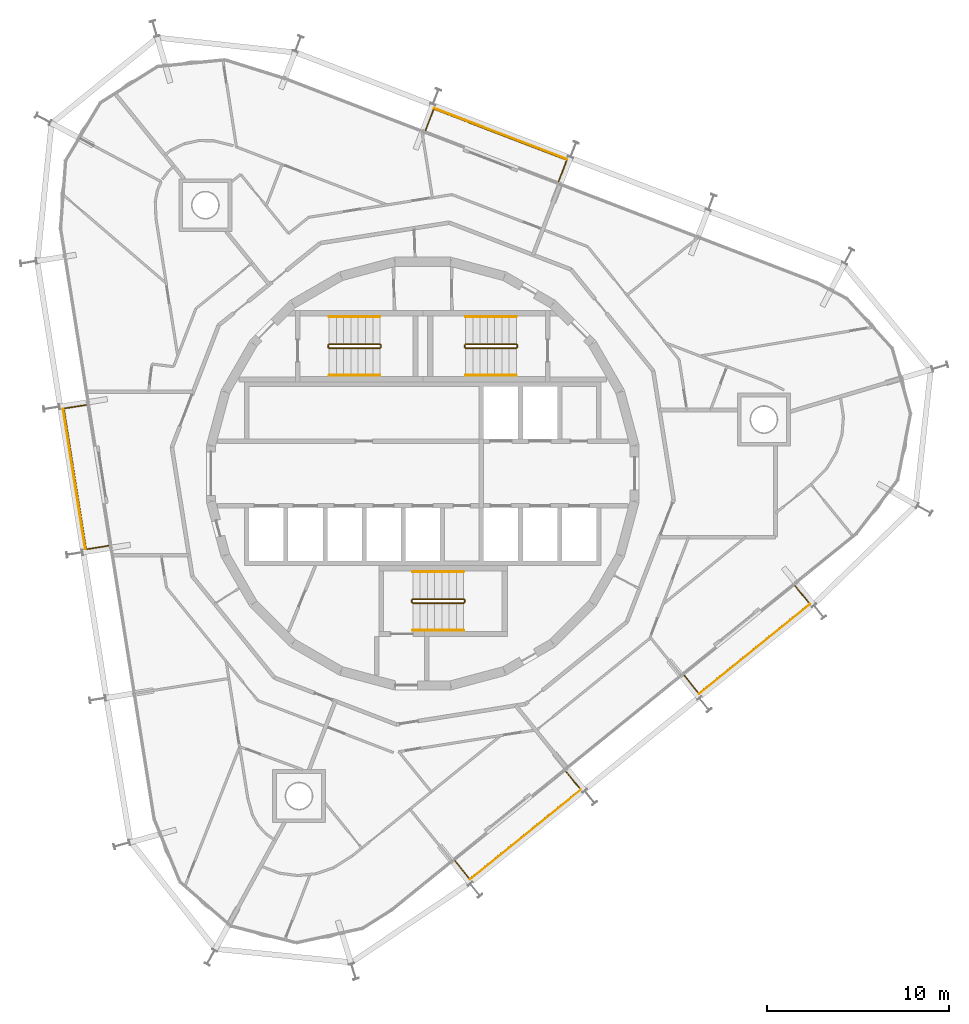
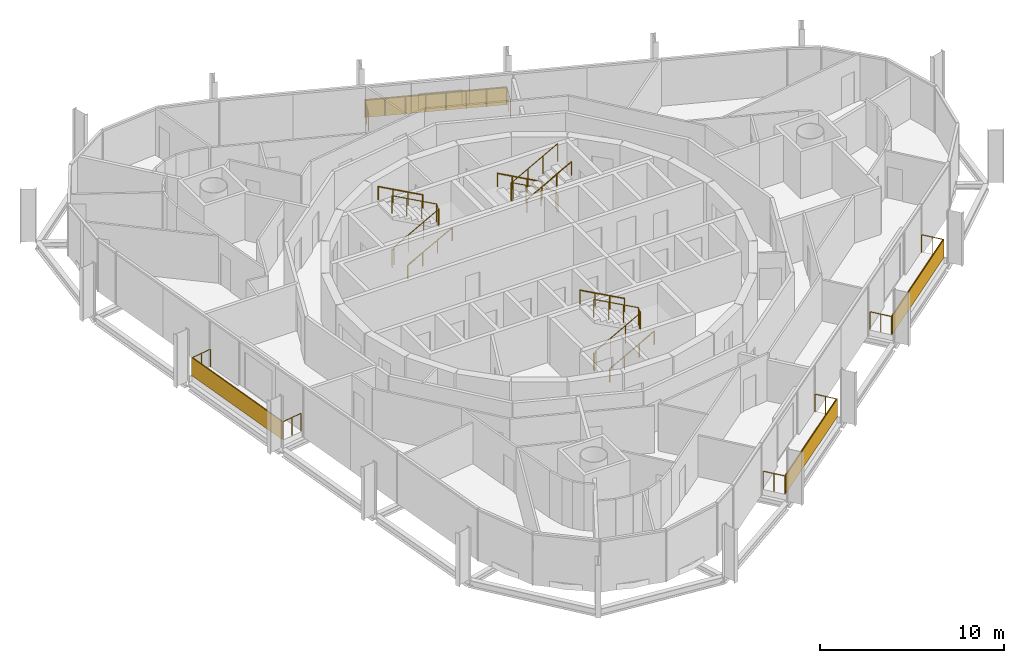
# One storey, part 17 of 17: 13 railings, 4 shading devices.
"""IFC4 building model written with IfcOpenShell, lengths in metres."""

from ifc_helpers import new_model, si_unit, direction, frame, origin, origin_2d, place, context, subcontext, project, spatial, rectangle, circle, extrude, material, layer, layer_set, type_object, element, save


model = new_model("IFC4")

# Units and contexts
model_context = context("Model", 3, precision=1e-05, world=origin(), true_north=direction((0.0, 1.0)))
body_context = subcontext(model_context, "Body", "Model", "MODEL_VIEW")
ifc_project = project(units=[si_unit("LENGTHUNIT", "METRE"), si_unit("AREAUNIT", "SQUARE_METRE"), si_unit("VOLUMEUNIT", "CUBIC_METRE"), si_unit("PLANEANGLEUNIT", "RADIAN"), si_unit("MASSUNIT", "GRAM", prefix="KILO")], contexts=[model_context])

# Site, building, storey
site_placement = place(None, origin())
site = spatial("IfcSite", under=ifc_project, at=site_placement, CompositionType="ELEMENT")
building_placement = place(site_placement, origin())
building = spatial("IfcBuilding", under=site, at=building_placement, Name="Spindle Arch Residences", CompositionType="ELEMENT")
storey_placement = place(building_placement, frame((0.0, 0.0, 270.39990234375)))
storey = spatial("IfcBuildingStorey", under=building, at=storey_placement, Name="L69", CompositionType="ELEMENT", Elevation=270.39990234375)

# Railings
ifc_material_1 = material(Name="Bronze anodised aluminium guard with glass infill", Category="aluminium")
railing_type_1 = type_object("IfcRailingType", Name="Balcony guard 1200", PredefinedType="GUARDRAIL", material=ifc_material_1)
railing_1_placement = place(storey_placement, frame((14.3857421875, -11.10888671875, 0.0)))
element("IfcRailing", 1, at=railing_1_placement, inside=storey, type_object=railing_type_1, Name="Guard L69 bay 1", PredefinedType="GUARDRAIL", context=body_context, shape_type="SweptSolid", body=[
    extrude(circle(Radius=0.02392578125, at=origin_2d()), frame((0.0, 0.0, 1.17578125), z_axis=(0.629422920791, -0.77706292331, 0.0), x_axis=(0.77706292331, 0.629422920791, 0.0)), (0.0, 0.0, 1.0), 1.250244140625),
    extrude(circle(Radius=0.02392578125, at=origin_2d()), frame((0.786865234375, -0.971435546875, 1.17578125), z_axis=(0.777138223033, 0.629329947087, 0.0), x_axis=(-0.629329947087, 0.777138223033, 0.0)), (0.0, 0.0, 1.0), 7.83740234375),
    extrude(circle(Radius=0.02392578125, at=origin_2d()), frame((6.877685546875, 3.9609375, 1.17578125), z_axis=(-0.629304977104, 0.777158443171, 0.0), x_axis=(-0.777158443171, -0.629304977104, 0.0)), (0.0, 0.0, 1.0), 1.25),
    extrude(circle(Radius=0.02099609375, at=origin_2d()), origin(), (0.0, 0.0, 1.0), 1.15185546875),
    extrude(circle(Radius=0.02099609375, at=origin_2d()), frame((0.3935546875, -0.48583984375, 0.0)), (0.0, 0.0, 1.0), 1.15185546875),
    extrude(circle(Radius=0.02099609375, at=origin_2d()), frame((0.786865234375, -0.971435546875, 0.0)), (0.0, 0.0, 1.0), 1.15185546875),
    extrude(circle(Radius=0.02099609375, at=origin_2d()), frame((1.656982421875, -0.266845703125, 0.0)), (0.0, 0.0, 1.0), 1.15185546875),
    extrude(circle(Radius=0.02099609375, at=origin_2d()), frame((2.527099609375, 0.437744140625, 0.0)), (0.0, 0.0, 1.0), 1.15185546875),
    extrude(circle(Radius=0.02099609375, at=origin_2d()), frame((3.397216796875, 1.142333984375, 0.0)), (0.0, 0.0, 1.0), 1.15185546875),
    extrude(circle(Radius=0.02099609375, at=origin_2d()), frame((4.267333984375, 1.84716796875, 0.0)), (0.0, 0.0, 1.0), 1.15185546875),
    extrude(circle(Radius=0.02099609375, at=origin_2d()), frame((5.137451171875, 2.5517578125, 0.0)), (0.0, 0.0, 1.0), 1.15185546875),
    extrude(circle(Radius=0.02099609375, at=origin_2d()), frame((6.007568359375, 3.25634765625, 0.0)), (0.0, 0.0, 1.0), 1.15185546875),
    extrude(circle(Radius=0.02099609375, at=origin_2d()), frame((6.877685546875, 3.9609375, 0.0)), (0.0, 0.0, 1.0), 1.15185546875),
    extrude(circle(Radius=0.02099609375, at=origin_2d()), frame((6.484375, 4.44677734375, 0.0)), (0.0, 0.0, 1.0), 1.15185546875),
    extrude(circle(Radius=0.02099609375, at=origin_2d()), frame((6.091064453125, 4.932373046875, 0.0)), (0.0, 0.0, 1.0), 1.15185546875),
])
railing_2_placement = place(storey_placement, frame((7.473876953125, 16.075927734375, 0.0)))
element("IfcRailing", 2, at=railing_2_placement, inside=storey, type_object=railing_type_1, Name="Guard L69 bay 7", PredefinedType="GUARDRAIL", context=body_context, shape_type="SweptSolid", body=[
    extrude(circle(Radius=0.02392578125, at=origin_2d()), frame((0.0, 0.0, 1.17578125), z_axis=(0.358219824021, 0.933637273077, 0.0), x_axis=(-0.933637273077, 0.358219824021, 0.0)), (0.0, 0.0, 1.0), 1.25),
    extrude(circle(Radius=0.02392578125, at=origin_2d()), frame((0.44775390625, 1.1669921875, 1.17578125), z_axis=(-0.933574226738, 0.358384100054, 0.0), x_axis=(-0.358384100054, -0.933574226738, 0.0)), (0.0, 0.0, 1.0), 7.83740234375),
    extrude(circle(Radius=0.02392578125, at=origin_2d()), frame((-6.869140625, 3.975830078125, 1.17578125), z_axis=(-0.358390063807, -0.933571937327, 0.0), x_axis=(0.933571937327, -0.358390063807, 0.0)), (0.0, 0.0, 1.0), 1.25),
    extrude(circle(Radius=0.02099609375, at=origin_2d()), origin(), (0.0, 0.0, 1.0), 1.15185546875),
    extrude(circle(Radius=0.02099609375, at=origin_2d()), frame((0.223876953125, 0.58349609375, 0.0)), (0.0, 0.0, 1.0), 1.15185546875),
    extrude(circle(Radius=0.02099609375, at=origin_2d()), frame((0.44775390625, 1.1669921875, 0.0)), (0.0, 0.0, 1.0), 1.15185546875),
    extrude(circle(Radius=0.02099609375, at=origin_2d()), frame((-0.597412109375, 1.568359375, 0.0)), (0.0, 0.0, 1.0), 1.15185546875),
    extrude(circle(Radius=0.02099609375, at=origin_2d()), frame((-1.642822265625, 1.969482421875, 0.0)), (0.0, 0.0, 1.0), 1.15185546875),
    extrude(circle(Radius=0.02099609375, at=origin_2d()), frame((-2.68798828125, 2.370849609375, 0.0)), (0.0, 0.0, 1.0), 1.15185546875),
    extrude(circle(Radius=0.02099609375, at=origin_2d()), frame((-3.7333984375, 2.77197265625, 0.0)), (0.0, 0.0, 1.0), 1.15185546875),
    extrude(circle(Radius=0.02099609375, at=origin_2d()), frame((-4.778564453125, 3.17333984375, 0.0)), (0.0, 0.0, 1.0), 1.15185546875),
    extrude(circle(Radius=0.02099609375, at=origin_2d()), frame((-5.823974609375, 3.574462890625, 0.0)), (0.0, 0.0, 1.0), 1.15185546875),
    extrude(circle(Radius=0.02099609375, at=origin_2d()), frame((-6.869140625, 3.975830078125, 0.0)), (0.0, 0.0, 1.0), 1.15185546875),
    extrude(circle(Radius=0.02099609375, at=origin_2d()), frame((-7.09326171875, 3.392333984375, 0.0)), (0.0, 0.0, 1.0), 1.15185546875),
    extrude(circle(Radius=0.02099609375, at=origin_2d()), frame((-7.317138671875, 2.808837890625, 0.0)), (0.0, 0.0, 1.0), 1.15185546875),
])
railing_3_placement = place(storey_placement, frame((-18.504638671875, 3.77294921875, 0.0)))
element("IfcRailing", 3, at=railing_3_placement, inside=storey, type_object=railing_type_1, Name="Guard L69 bay 13", PredefinedType="GUARDRAIL", context=body_context, shape_type="SweptSolid", body=[
    extrude(circle(Radius=0.02392578125, at=origin_2d()), frame((0.0, 0.0, 1.17578125), z_axis=(-0.987686835152, -0.156443969736, 0.0), x_axis=(0.156443969736, -0.987686835152, 0.0)), (0.0, 0.0, 1.0), 1.25),
    extrude(circle(Radius=0.02392578125, at=origin_2d()), frame((-1.234619140625, -0.195556640625, 1.17578125), z_axis=(0.156437642141, -0.987687837387, 0.0), x_axis=(0.987687837387, 0.156437642141, 0.0)), (0.0, 0.0, 1.0), 7.83740234375),
    extrude(circle(Radius=0.02392578125, at=origin_2d()), frame((-0.008544921875, -7.9365234375, 1.17578125), z_axis=(0.987686835152, 0.156443969736, 0.0), x_axis=(-0.156443969736, 0.987686835152, 0.0)), (0.0, 0.0, 1.0), 1.25),
    extrude(circle(Radius=0.02099609375, at=origin_2d()), origin(), (0.0, 0.0, 1.0), 1.15185546875),
    extrude(circle(Radius=0.02099609375, at=origin_2d()), frame((-0.6171875, -0.09765625, 0.0)), (0.0, 0.0, 1.0), 1.15185546875),
    extrude(circle(Radius=0.02099609375, at=origin_2d()), frame((-1.234619140625, -0.195556640625, 0.0)), (0.0, 0.0, 1.0), 1.15185546875),
    extrude(circle(Radius=0.02099609375, at=origin_2d()), frame((-1.0595703125, -1.301513671875, 0.0)), (0.0, 0.0, 1.0), 1.15185546875),
    extrude(circle(Radius=0.02099609375, at=origin_2d()), frame((-0.88427734375, -2.4072265625, 0.0)), (0.0, 0.0, 1.0), 1.15185546875),
    extrude(circle(Radius=0.02099609375, at=origin_2d()), frame((-0.709228515625, -3.51318359375, 0.0)), (0.0, 0.0, 1.0), 1.15185546875),
    extrude(circle(Radius=0.02099609375, at=origin_2d()), frame((-0.533935546875, -4.618896484375, 0.0)), (0.0, 0.0, 1.0), 1.15185546875),
    extrude(circle(Radius=0.02099609375, at=origin_2d()), frame((-0.35888671875, -5.724853515625, 0.0)), (0.0, 0.0, 1.0), 1.15185546875),
    extrude(circle(Radius=0.02099609375, at=origin_2d()), frame((-0.18359375, -6.83056640625, 0.0)), (0.0, 0.0, 1.0), 1.15185546875),
    extrude(circle(Radius=0.02099609375, at=origin_2d()), frame((-0.008544921875, -7.9365234375, 0.0)), (0.0, 0.0, 1.0), 1.15185546875),
    extrude(circle(Radius=0.02099609375, at=origin_2d()), frame((0.60888671875, -7.8388671875, 0.0)), (0.0, 0.0, 1.0), 1.15185546875),
    extrude(circle(Radius=0.02099609375, at=origin_2d()), frame((1.22607421875, -7.740966796875, 0.0)), (0.0, 0.0, 1.0), 1.15185546875),
])
railing_4_placement = place(storey_placement, frame((1.7841796875, -21.3134765625, 0.0)))
element("IfcRailing", 4, at=railing_4_placement, inside=storey, type_object=railing_type_1, Name="Guard L69 bay 19", PredefinedType="GUARDRAIL", context=body_context, shape_type="SweptSolid", body=[
    extrude(circle(Radius=0.02392578125, at=origin_2d()), frame((0.0, 0.0, 1.17578125), z_axis=(0.629422920791, -0.77706292331, 0.0), x_axis=(0.77706292331, 0.629422920791, 0.0)), (0.0, 0.0, 1.0), 1.250244140625),
    extrude(circle(Radius=0.02392578125, at=origin_2d()), frame((0.786865234375, -0.971435546875, 1.17578125), z_axis=(0.777138223033, 0.629329947087, 0.0), x_axis=(-0.629329947087, 0.777138223033, 0.0)), (0.0, 0.0, 1.0), 7.83740234375),
    extrude(circle(Radius=0.02392578125, at=origin_2d()), frame((6.877685546875, 3.9609375, 1.17578125), z_axis=(-0.629304977104, 0.777158443171, 0.0), x_axis=(-0.777158443171, -0.629304977104, 0.0)), (0.0, 0.0, 1.0), 1.25),
    extrude(circle(Radius=0.02099609375, at=origin_2d()), origin(), (0.0, 0.0, 1.0), 1.15185546875),
    extrude(circle(Radius=0.02099609375, at=origin_2d()), frame((0.3935546875, -0.48583984375, 0.0)), (0.0, 0.0, 1.0), 1.15185546875),
    extrude(circle(Radius=0.02099609375, at=origin_2d()), frame((0.786865234375, -0.971435546875, 0.0)), (0.0, 0.0, 1.0), 1.15185546875),
    extrude(circle(Radius=0.02099609375, at=origin_2d()), frame((1.656982421875, -0.266845703125, 0.0)), (0.0, 0.0, 1.0), 1.15185546875),
    extrude(circle(Radius=0.02099609375, at=origin_2d()), frame((2.527099609375, 0.437744140625, 0.0)), (0.0, 0.0, 1.0), 1.15185546875),
    extrude(circle(Radius=0.02099609375, at=origin_2d()), frame((3.397216796875, 1.142333984375, 0.0)), (0.0, 0.0, 1.0), 1.15185546875),
    extrude(circle(Radius=0.02099609375, at=origin_2d()), frame((4.267333984375, 1.84716796875, 0.0)), (0.0, 0.0, 1.0), 1.15185546875),
    extrude(circle(Radius=0.02099609375, at=origin_2d()), frame((5.137451171875, 2.5517578125, 0.0)), (0.0, 0.0, 1.0), 1.15185546875),
    extrude(circle(Radius=0.02099609375, at=origin_2d()), frame((6.007568359375, 3.25634765625, 0.0)), (0.0, 0.0, 1.0), 1.15185546875),
    extrude(circle(Radius=0.02099609375, at=origin_2d()), frame((6.877685546875, 3.9609375, 0.0)), (0.0, 0.0, 1.0), 1.15185546875),
    extrude(circle(Radius=0.02099609375, at=origin_2d()), frame((6.484375, 4.44677734375, 0.0)), (0.0, 0.0, 1.0), 1.15185546875),
    extrude(circle(Radius=0.02099609375, at=origin_2d()), frame((6.091064453125, 4.932373046875, 0.0)), (0.0, 0.0, 1.0), 1.15185546875),
])

# Shading devices
ifc_material_2 = material(Name="Bronze perforated cobogo screen")
ifc_layer = layer(ifc_material_2, 0.0390625)
ifc_layer_set = layer_set([ifc_layer], Name="Cobogo screen 1200")
shading_device_type = type_object("IfcShadingDeviceType", Name="Cobogo screen 1200", PredefinedType="USERDEFINED", material=ifc_layer_set)
for number, where, z_axis, x_axis, name in (
    (5, (18.243408203125, -9.645751953125, 0.0), (0.0, 0.0, 1.0), (0.777145961457, 0.62932039105, 0.0), "Cobogo screen L69 bay 1"),
    (6, (4.27783203125, 18.68505859375, 0.0), (0.0, 0.0, 1.0), (-0.933580426497, 0.358367949545, 0.0), "Cobogo screen L69 bay 7"),
    (7, (-19.166259765625, -0.29931640625, 0.0), (0.0, 0.0, 1.0), (0.15643446504, -0.987688340595, 0.0), "Cobogo screen L69 bay 13"),
    (8, (5.641845703125, -19.850341796875, 0.0), (0.0, 0.0, 1.0), (0.777145961457, 0.62932039105, 0.0), "Cobogo screen L69 bay 19"),
):
    element("IfcShadingDevice", number, at=place(storey_placement, frame(where, z_axis=z_axis, x_axis=x_axis)), inside=storey, type_object=shading_device_type, Name=name, ObjectType="SCREEN", PredefinedType="USERDEFINED", context=body_context, shape_type="SweptSolid", body=[
        extrude(rectangle(XDim=7.837646484375, YDim=0.0390625, at=origin_2d()), origin(), (0.0, 0.0, 1.0), 1.199951171875),
    ])

# Railings
ifc_material_3 = material(Name="Steel, painted", Category="steel")
railing_type_2 = type_object("IfcRailingType", Name="Stair guard 1100", PredefinedType="GUARDRAIL", material=ifc_material_3)
railing_5_placement = place(storey_placement, frame((5.14990234375, 6.89990234375, 3.5)))
element("IfcRailing", 9, at=railing_5_placement, inside=storey, type_object=railing_type_2, Name="L69 ST1 stair guard 1", PredefinedType="GUARDRAIL", context=body_context, shape_type="SweptSolid", body=[
    extrude(circle(Radius=0.02392578125, at=origin_2d()), frame((0.0, 0.0, 1.17578125), z_axis=(-0.877357048833, 0.0, -0.479838106931), x_axis=(0.0, -1.0, 0.0)), (0.0, 0.0, 1.0), 3.191162109375),
    extrude(circle(Radius=0.02392578125, at=origin_2d()), frame((-2.7998046875, 0.0, -0.35546875), z_axis=(-0.217683172539, 0.217683172539, -0.951434744366), x_axis=(-0.707106781187, -0.707106781187, 0.0)), (0.0, 0.0, 1.0), 0.22998046875),
    extrude(circle(Radius=0.02392578125, at=origin_2d()), frame((-2.849853515625, 0.050048828125, -0.57421875), z_axis=(0.0, 1.0, 0.0), x_axis=(-1.0, 0.0, 0.0)), (0.0, 0.0, 1.0), 0.1201171875),
    extrude(circle(Radius=0.02392578125, at=origin_2d()), frame((-2.849853515625, 0.170166015625, -0.57421875), z_axis=(0.707106781187, 0.707106781187, 0.0), x_axis=(-0.707106781187, 0.707106781187, 0.0)), (0.0, 0.0, 1.0), 0.07080078125),
    extrude(circle(Radius=0.02392578125, at=origin_2d()), frame((-2.7998046875, 0.22021484375, -0.57421875), z_axis=(0.877357048833, 0.0, -0.479838106931), x_axis=(0.0, 1.0, 0.0)), (0.0, 0.0, 1.0), 3.191162109375),
    extrude(circle(Radius=0.02392578125, at=origin_2d()), frame((0.0, 0.22021484375, -2.10546875), z_axis=(0.217683172539, -0.217683172539, -0.951434744366), x_axis=(0.707106781187, 0.707106781187, 0.0)), (0.0, 0.0, 1.0), 0.22998046875),
    extrude(circle(Radius=0.02392578125, at=origin_2d()), frame((0.050048828125, 0.170166015625, -2.32421875), z_axis=(0.0, -1.0, 0.0), x_axis=(1.0, 0.0, 0.0)), (0.0, 0.0, 1.0), 0.1201171875),
    extrude(circle(Radius=0.02099609375, at=origin_2d()), origin(), (0.0, 0.0, 1.0), 1.15185546875),
    extrude(circle(Radius=0.02099609375, at=origin_2d()), frame((-0.933349609375, 0.0, -0.510498046875)), (0.0, 0.0, 1.0), 1.15185546875),
    extrude(circle(Radius=0.02099609375, at=origin_2d()), frame((-1.866455078125, 0.0, -1.020751953125)), (0.0, 0.0, 1.0), 1.15185546875),
    extrude(circle(Radius=0.02099609375, at=origin_2d()), frame((-2.7998046875, 0.0, -1.53125)), (0.0, 0.0, 1.0), 1.15185546875),
    extrude(circle(Radius=0.02099609375, at=origin_2d()), frame((-2.849853515625, 0.050048828125, -1.75)), (0.0, 0.0, 1.0), 1.15185546875),
    extrude(circle(Radius=0.02099609375, at=origin_2d()), frame((-2.849853515625, 0.170166015625, -1.75)), (0.0, 0.0, 1.0), 1.15185546875),
    extrude(circle(Radius=0.02099609375, at=origin_2d()), frame((-2.7998046875, 0.22021484375, -1.75)), (0.0, 0.0, 1.0), 1.15185546875),
    extrude(circle(Radius=0.02099609375, at=origin_2d()), frame((-1.866455078125, 0.22021484375, -2.260498046875)), (0.0, 0.0, 1.0), 1.15185546875),
    extrude(circle(Radius=0.02099609375, at=origin_2d()), frame((-0.933349609375, 0.22021484375, -2.770751953125)), (0.0, 0.0, 1.0), 1.15185546875),
    extrude(circle(Radius=0.02099609375, at=origin_2d()), frame((0.0, 0.22021484375, -3.28125)), (0.0, 0.0, 1.0), 1.15185546875),
    extrude(circle(Radius=0.02099609375, at=origin_2d()), frame((0.050048828125, 0.170166015625, -3.5)), (0.0, 0.0, 1.0), 1.15185546875),
    extrude(circle(Radius=0.02099609375, at=origin_2d()), frame((0.050048828125, 0.050048828125, -3.5)), (0.0, 0.0, 1.0), 1.15185546875),
])
railing_6_placement = place(storey_placement, frame((-5.14990234375, 7.1201171875, 3.5)))
element("IfcRailing", 10, at=railing_6_placement, inside=storey, type_object=railing_type_2, Name="L69 ST2 stair guard 1", PredefinedType="GUARDRAIL", context=body_context, shape_type="SweptSolid", body=[
    extrude(circle(Radius=0.02392578125, at=origin_2d()), frame((0.0, 0.0, 1.17578125), z_axis=(0.877357048833, 0.0, -0.479838106931), x_axis=(0.0, 1.0, 0.0)), (0.0, 0.0, 1.0), 3.191162109375),
    extrude(circle(Radius=0.02392578125, at=origin_2d()), frame((2.7998046875, 0.0, -0.35546875), z_axis=(0.217683172539, -0.217683172539, -0.951434744366), x_axis=(0.707106781187, 0.707106781187, 0.0)), (0.0, 0.0, 1.0), 0.22998046875),
    extrude(circle(Radius=0.02392578125, at=origin_2d()), frame((2.849853515625, -0.050048828125, -0.57421875), z_axis=(0.0, -1.0, 0.0), x_axis=(1.0, 0.0, 0.0)), (0.0, 0.0, 1.0), 0.1201171875),
    extrude(circle(Radius=0.02392578125, at=origin_2d()), frame((2.849853515625, -0.170166015625, -0.57421875), z_axis=(-0.707106781187, -0.707106781187, 0.0), x_axis=(0.707106781187, -0.707106781187, 0.0)), (0.0, 0.0, 1.0), 0.07080078125),
    extrude(circle(Radius=0.02392578125, at=origin_2d()), frame((2.7998046875, -0.22021484375, -0.57421875), z_axis=(-0.877357048833, 0.0, -0.479838106931), x_axis=(0.0, -1.0, 0.0)), (0.0, 0.0, 1.0), 3.191162109375),
    extrude(circle(Radius=0.02392578125, at=origin_2d()), frame((0.0, -0.22021484375, -2.10546875), z_axis=(-0.217683172539, 0.217683172539, -0.951434744366), x_axis=(-0.707106781187, -0.707106781187, 0.0)), (0.0, 0.0, 1.0), 0.22998046875),
    extrude(circle(Radius=0.02392578125, at=origin_2d()), frame((-0.050048828125, -0.170166015625, -2.32421875), z_axis=(0.0, 1.0, 0.0), x_axis=(-1.0, 0.0, 0.0)), (0.0, 0.0, 1.0), 0.1201171875),
    extrude(circle(Radius=0.02099609375, at=origin_2d()), origin(), (0.0, 0.0, 1.0), 1.15185546875),
    extrude(circle(Radius=0.02099609375, at=origin_2d()), frame((0.933349609375, 0.0, -0.510498046875)), (0.0, 0.0, 1.0), 1.15185546875),
    extrude(circle(Radius=0.02099609375, at=origin_2d()), frame((1.866455078125, 0.0, -1.020751953125)), (0.0, 0.0, 1.0), 1.15185546875),
    extrude(circle(Radius=0.02099609375, at=origin_2d()), frame((2.7998046875, 0.0, -1.53125)), (0.0, 0.0, 1.0), 1.15185546875),
    extrude(circle(Radius=0.02099609375, at=origin_2d()), frame((2.849853515625, -0.050048828125, -1.75)), (0.0, 0.0, 1.0), 1.15185546875),
    extrude(circle(Radius=0.02099609375, at=origin_2d()), frame((2.849853515625, -0.170166015625, -1.75)), (0.0, 0.0, 1.0), 1.15185546875),
    extrude(circle(Radius=0.02099609375, at=origin_2d()), frame((2.7998046875, -0.22021484375, -1.75)), (0.0, 0.0, 1.0), 1.15185546875),
    extrude(circle(Radius=0.02099609375, at=origin_2d()), frame((1.866455078125, -0.22021484375, -2.260498046875)), (0.0, 0.0, 1.0), 1.15185546875),
    extrude(circle(Radius=0.02099609375, at=origin_2d()), frame((0.933349609375, -0.22021484375, -2.770751953125)), (0.0, 0.0, 1.0), 1.15185546875),
    extrude(circle(Radius=0.02099609375, at=origin_2d()), frame((0.0, -0.22021484375, -3.28125)), (0.0, 0.0, 1.0), 1.15185546875),
    extrude(circle(Radius=0.02099609375, at=origin_2d()), frame((-0.050048828125, -0.170166015625, -3.5)), (0.0, 0.0, 1.0), 1.15185546875),
    extrude(circle(Radius=0.02099609375, at=origin_2d()), frame((-0.050048828125, -0.050048828125, -3.5)), (0.0, 0.0, 1.0), 1.15185546875),
])
railing_7_placement = place(storey_placement, frame((-0.550048828125, -6.89990234375, 3.5)))
element("IfcRailing", 11, at=railing_7_placement, inside=storey, type_object=railing_type_2, Name="L69 ST3 stair guard 1", PredefinedType="GUARDRAIL", context=body_context, shape_type="SweptSolid", body=[
    extrude(circle(Radius=0.02392578125, at=origin_2d()), frame((0.0, 0.0, 1.17578125), z_axis=(0.877374661878, 0.0, -0.479805901063), x_axis=(0.0, 1.0, 0.0)), (0.0, 0.0, 1.0), 3.19140625),
    extrude(circle(Radius=0.02392578125, at=origin_2d()), frame((2.800048828125, 0.0, -0.35546875), z_axis=(0.217683172539, -0.217683172539, -0.951434744366), x_axis=(0.707106781187, 0.707106781187, 0.0)), (0.0, 0.0, 1.0), 0.22998046875),
    extrude(circle(Radius=0.02392578125, at=origin_2d()), frame((2.85009765625, -0.050048828125, -0.57421875), z_axis=(0.0, -1.0, 0.0), x_axis=(1.0, 0.0, 0.0)), (0.0, 0.0, 1.0), 0.1201171875),
    extrude(circle(Radius=0.02392578125, at=origin_2d()), frame((2.85009765625, -0.170166015625, -0.57421875), z_axis=(-0.707106781187, -0.707106781187, 0.0), x_axis=(0.707106781187, -0.707106781187, 0.0)), (0.0, 0.0, 1.0), 0.07080078125),
    extrude(circle(Radius=0.02392578125, at=origin_2d()), frame((2.800048828125, -0.22021484375, -0.57421875), z_axis=(-0.877374661878, 0.0, -0.479805901063), x_axis=(0.0, -1.0, 0.0)), (0.0, 0.0, 1.0), 3.19140625),
    extrude(circle(Radius=0.02392578125, at=origin_2d()), frame((0.0, -0.22021484375, -2.10546875), z_axis=(-0.217683172539, 0.217683172539, -0.951434744366), x_axis=(-0.707106781187, -0.707106781187, 0.0)), (0.0, 0.0, 1.0), 0.22998046875),
    extrude(circle(Radius=0.02392578125, at=origin_2d()), frame((-0.050048828125, -0.170166015625, -2.32421875), z_axis=(0.0, 1.0, 0.0), x_axis=(-1.0, 0.0, 0.0)), (0.0, 0.0, 1.0), 0.1201171875),
    extrude(circle(Radius=0.02099609375, at=origin_2d()), origin(), (0.0, 0.0, 1.0), 1.15185546875),
    extrude(circle(Radius=0.02099609375, at=origin_2d()), frame((0.933349609375, 0.0, -0.510498046875)), (0.0, 0.0, 1.0), 1.15185546875),
    extrude(circle(Radius=0.02099609375, at=origin_2d()), frame((1.86669921875, 0.0, -1.020751953125)), (0.0, 0.0, 1.0), 1.15185546875),
    extrude(circle(Radius=0.02099609375, at=origin_2d()), frame((2.800048828125, 0.0, -1.53125)), (0.0, 0.0, 1.0), 1.15185546875),
    extrude(circle(Radius=0.02099609375, at=origin_2d()), frame((2.85009765625, -0.050048828125, -1.75)), (0.0, 0.0, 1.0), 1.15185546875),
    extrude(circle(Radius=0.02099609375, at=origin_2d()), frame((2.85009765625, -0.170166015625, -1.75)), (0.0, 0.0, 1.0), 1.15185546875),
    extrude(circle(Radius=0.02099609375, at=origin_2d()), frame((2.800048828125, -0.22021484375, -1.75)), (0.0, 0.0, 1.0), 1.15185546875),
    extrude(circle(Radius=0.02099609375, at=origin_2d()), frame((1.86669921875, -0.22021484375, -2.260498046875)), (0.0, 0.0, 1.0), 1.15185546875),
    extrude(circle(Radius=0.02099609375, at=origin_2d()), frame((0.933349609375, -0.22021484375, -2.770751953125)), (0.0, 0.0, 1.0), 1.15185546875),
    extrude(circle(Radius=0.02099609375, at=origin_2d()), frame((0.0, -0.22021484375, -3.28125)), (0.0, 0.0, 1.0), 1.15185546875),
    extrude(circle(Radius=0.02099609375, at=origin_2d()), frame((-0.050048828125, -0.170166015625, -3.5)), (0.0, 0.0, 1.0), 1.15185546875),
    extrude(circle(Radius=0.02099609375, at=origin_2d()), frame((-0.050048828125, -0.050048828125, -3.5)), (0.0, 0.0, 1.0), 1.15185546875),
])
ifc_material_4 = material(Name="Steel, painted", Category="steel")
railing_type_3 = type_object("IfcRailingType", Name="Stair handrail 900", PredefinedType="HANDRAIL", material=ifc_material_4)
railing_8_placement = place(storey_placement, frame((5.14990234375, 8.6201171875, 0.21875)))
element("IfcRailing", 12, at=railing_8_placement, inside=storey, type_object=railing_type_3, Name="L69 ST1 stair handrail 1", PredefinedType="HANDRAIL", context=body_context, shape_type="SweptSolid", body=[
    extrude(circle(Radius=0.02392578125, at=origin_2d()), frame((0.0, 0.0, 0.8759765625), z_axis=(-0.877357048833, 0.0, 0.479838106931), x_axis=(0.0, -1.0, 0.0)), (0.0, 0.0, 1.0), 3.191162109375),
    extrude(circle(Radius=0.02099609375, at=origin_2d()), origin(), (0.0, 0.0, 1.0), 0.851806640625),
    extrude(circle(Radius=0.02099609375, at=origin_2d()), frame((-0.933349609375, 0.0, 0.510498046875)), (0.0, 0.0, 1.0), 0.851806640625),
    extrude(circle(Radius=0.02099609375, at=origin_2d()), frame((-1.866455078125, 0.0, 1.020751953125)), (0.0, 0.0, 1.0), 0.851806640625),
    extrude(circle(Radius=0.02099609375, at=origin_2d()), frame((-2.7998046875, 0.0, 1.53125)), (0.0, 0.0, 1.0), 0.851806640625),
])
for number, where, name in (
    (13, (2.35009765625, 5.39990234375, 1.96875), "L69 ST1 stair handrail 2"),
    (14, (-5.14990234375, 5.39990234375, 0.21875), "L69 ST2 stair handrail 1"),
):
    element("IfcRailing", number, at=place(storey_placement, frame(where)), inside=storey, type_object=railing_type_3, Name=name, PredefinedType="HANDRAIL", context=body_context, shape_type="SweptSolid", body=[
        extrude(circle(Radius=0.02392578125, at=origin_2d()), frame((0.0, 0.0, 0.8759765625), z_axis=(0.877357048833, 0.0, 0.479838106931), x_axis=(0.0, 1.0, 0.0)), (0.0, 0.0, 1.0), 3.191162109375),
        extrude(circle(Radius=0.02099609375, at=origin_2d()), origin(), (0.0, 0.0, 1.0), 0.851806640625),
        extrude(circle(Radius=0.02099609375, at=origin_2d()), frame((0.933349609375, 0.0, 0.510498046875)), (0.0, 0.0, 1.0), 0.851806640625),
        extrude(circle(Radius=0.02099609375, at=origin_2d()), frame((1.866455078125, 0.0, 1.020751953125)), (0.0, 0.0, 1.0), 0.851806640625),
        extrude(circle(Radius=0.02099609375, at=origin_2d()), frame((2.7998046875, 0.0, 1.53125)), (0.0, 0.0, 1.0), 0.851806640625),
    ])
railing_9_placement = place(storey_placement, frame((-2.35009765625, 8.6201171875, 1.96875)))
element("IfcRailing", 15, at=railing_9_placement, inside=storey, type_object=railing_type_3, Name="L69 ST2 stair handrail 2", PredefinedType="HANDRAIL", context=body_context, shape_type="SweptSolid", body=[
    extrude(circle(Radius=0.02392578125, at=origin_2d()), frame((0.0, 0.0, 0.8759765625), z_axis=(-0.877357048833, 0.0, 0.479838106931), x_axis=(0.0, -1.0, 0.0)), (0.0, 0.0, 1.0), 3.191162109375),
    extrude(circle(Radius=0.02099609375, at=origin_2d()), origin(), (0.0, 0.0, 1.0), 0.851806640625),
    extrude(circle(Radius=0.02099609375, at=origin_2d()), frame((-0.933349609375, 0.0, 0.510498046875)), (0.0, 0.0, 1.0), 0.851806640625),
    extrude(circle(Radius=0.02099609375, at=origin_2d()), frame((-1.866455078125, 0.0, 1.020751953125)), (0.0, 0.0, 1.0), 0.851806640625),
    extrude(circle(Radius=0.02099609375, at=origin_2d()), frame((-2.7998046875, 0.0, 1.53125)), (0.0, 0.0, 1.0), 0.851806640625),
])
railing_10_placement = place(storey_placement, frame((-0.550048828125, -8.6201171875, 0.21875)))
element("IfcRailing", 16, at=railing_10_placement, inside=storey, type_object=railing_type_3, Name="L69 ST3 stair handrail 1", PredefinedType="HANDRAIL", context=body_context, shape_type="SweptSolid", body=[
    extrude(circle(Radius=0.02392578125, at=origin_2d()), frame((0.0, 0.0, 0.8759765625), z_axis=(0.877374661878, 0.0, 0.479805901063), x_axis=(0.0, 1.0, 0.0)), (0.0, 0.0, 1.0), 3.19140625),
    extrude(circle(Radius=0.02099609375, at=origin_2d()), origin(), (0.0, 0.0, 1.0), 0.851806640625),
    extrude(circle(Radius=0.02099609375, at=origin_2d()), frame((0.933349609375, 0.0, 0.510498046875)), (0.0, 0.0, 1.0), 0.851806640625),
    extrude(circle(Radius=0.02099609375, at=origin_2d()), frame((1.86669921875, 0.0, 1.020751953125)), (0.0, 0.0, 1.0), 0.851806640625),
    extrude(circle(Radius=0.02099609375, at=origin_2d()), frame((2.800048828125, 0.0, 1.53125)), (0.0, 0.0, 1.0), 0.851806640625),
])
railing_11_placement = place(storey_placement, frame((2.25, -5.39990234375, 1.96875)))
element("IfcRailing", 17, at=railing_11_placement, inside=storey, type_object=railing_type_3, Name="L69 ST3 stair handrail 2", PredefinedType="HANDRAIL", context=body_context, shape_type="SweptSolid", body=[
    extrude(circle(Radius=0.02392578125, at=origin_2d()), frame((0.0, 0.0, 0.8759765625), z_axis=(-0.877374661878, 0.0, 0.479805901063), x_axis=(0.0, -1.0, 0.0)), (0.0, 0.0, 1.0), 3.19140625),
    extrude(circle(Radius=0.02099609375, at=origin_2d()), origin(), (0.0, 0.0, 1.0), 0.851806640625),
    extrude(circle(Radius=0.02099609375, at=origin_2d()), frame((-0.933349609375, 0.0, 0.510498046875)), (0.0, 0.0, 1.0), 0.851806640625),
    extrude(circle(Radius=0.02099609375, at=origin_2d()), frame((-1.86669921875, 0.0, 1.020751953125)), (0.0, 0.0, 1.0), 0.851806640625),
    extrude(circle(Radius=0.02099609375, at=origin_2d()), frame((-2.800048828125, 0.0, 1.53125)), (0.0, 0.0, 1.0), 0.851806640625),
])

save(model, "model.ifc")
